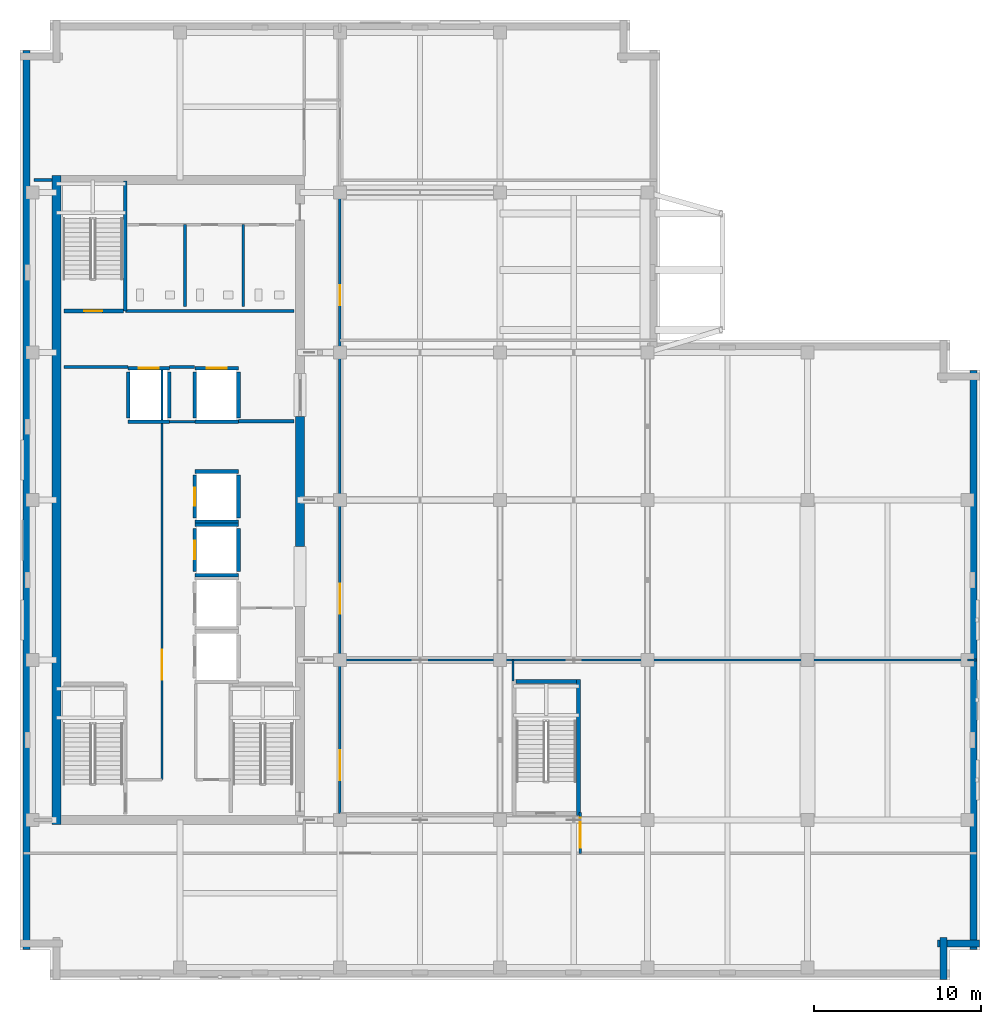
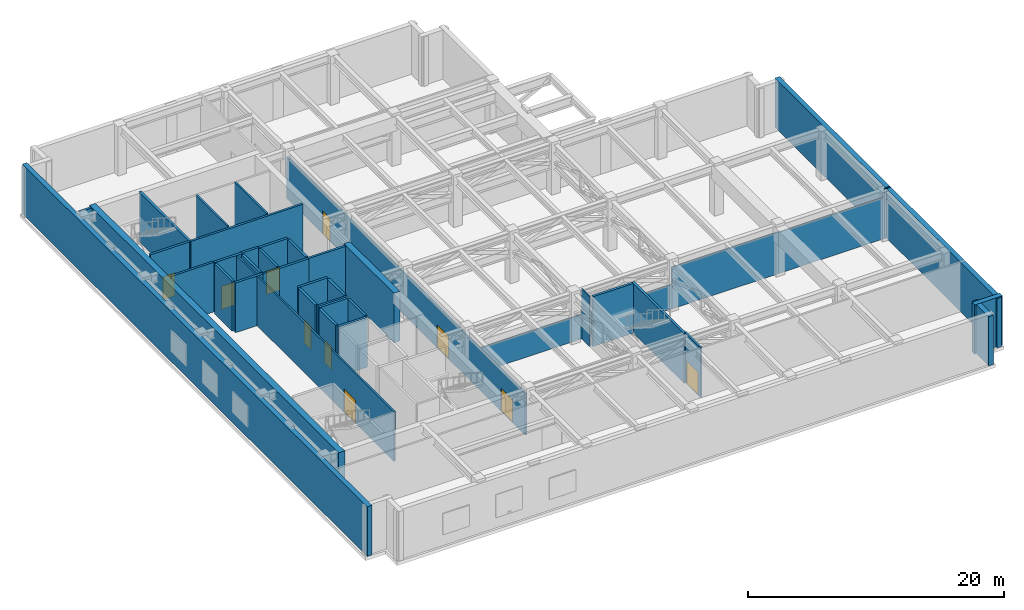
# One storey, part 13 of 19: 42 walls, 10 doors, 10 openings.
"""IFC4 building model written with IfcOpenShell, lengths in metres."""

from ifc_helpers import new_model, si_unit, direction, frame, frame_2d, origin, place, context, subcontext, project, spatial, rectangle, extrude, material, layer, layer_set, type_object, element, fill, save


model = new_model("IFC4")

# Units and contexts
model_context = context("Model", 3, precision=1e-05, world=origin(), true_north=direction((0.0, 1.0)))
body_context = subcontext(model_context, "Body", "Model", "MODEL_VIEW")
ifc_project = project(units=[si_unit("LENGTHUNIT", "METRE"), si_unit("AREAUNIT", "SQUARE_METRE"), si_unit("VOLUMEUNIT", "CUBIC_METRE"), si_unit("PLANEANGLEUNIT", "RADIAN"), si_unit("MASSUNIT", "GRAM", prefix="KILO")], contexts=[model_context])

# Site, building, storey
site_placement = place(None, origin())
site = spatial("IfcSite", under=ifc_project, at=site_placement, CompositionType="ELEMENT")
building_placement = place(site_placement, origin())
building = spatial("IfcBuilding", under=site, at=building_placement, Name="Norrvale University Quadrangle", CompositionType="ELEMENT")
storey_placement = place(building_placement, frame((0.0, 0.0, 256.0)))
storey = spatial("IfcBuildingStorey", under=building, at=storey_placement, Name="L65", CompositionType="ELEMENT", Elevation=256.0)

# Walls
ifc_material_1 = material(Name="Buff Norman Clay Brick Masonry", Category="masonry")
ifc_layer_1 = layer(ifc_material_1, 0.419921875, Name="Buff Norman Clay Brick Masonry")
ifc_layer_set_1 = layer_set([ifc_layer_1], Name="Buff Norman Clay Brick Masonry")
wall_type_1 = type_object("IfcWallType", Name="Wall Buff Brick 420", PredefinedType="SOLIDWALL", material=ifc_layer_set_1)
for number, where, z_axis, x_axis, name in (
    (1, (55.409912109375, 0.0400390625, 0.0), (0.0, 0.0, 1.0), (0.0, 1.0, 0.0), "Exterior Brick Facade Wall L65-02.1"),
    (2, (55.06005859375, 2.18994140625, 0.0), (0.0, 0.0, 1.0), (1.0, 0.0, 0.0), "Exterior Brick Facade Wall L65-03.1"),
):
    element("IfcWall", number, at=place(storey_placement, frame(where, z_axis=z_axis, x_axis=x_axis)), inside=storey, type_object=wall_type_1, Name=name, PredefinedType="SOLIDWALL", context=body_context, shape_type="SweptSolid", body=[
        extrude(rectangle(XDim=2.5, YDim=0.419921875, at=frame_2d((1.25, 0.0))), origin(), (0.0, 0.0, 1.0), 4.699951171875),
    ])
wall_1_placement = place(storey_placement, frame((57.2099609375, 1.840087890625, 0.0), z_axis=(0.0, 0.0, 1.0), x_axis=(0.0, 1.0, 0.0)))
element("IfcWall", 3, at=wall_1_placement, inside=storey, type_object=wall_type_1, Name="Exterior Brick Facade Wall L65-04.1", PredefinedType="SOLIDWALL", context=body_context, shape_type="SweptSolid", body=[
    extrude(rectangle(XDim=34.719970703125, YDim=0.419921875, at=frame_2d((17.35986328125, 0.0))), origin(), (0.0, 0.0, 1.0), 4.699951171875),
])
wall_2_placement = place(storey_placement, frame((0.389892578125, 55.760009765625, 0.0), z_axis=(0.0, 0.0, 1.0), x_axis=(0.0, -1.0, 0.0)))
element("IfcWall", 4, at=wall_2_placement, inside=storey, type_object=wall_type_1, Name="Exterior Brick Facade Wall L65-14.1", PredefinedType="SOLIDWALL", context=body_context, shape_type="SweptSolid", body=[
    extrude(rectangle(XDim=53.919921875, YDim=0.419921875, at=frame_2d((26.9599609375, 0.0))), origin(), (0.0, 0.0, 1.0), 4.739990234375),
])
ifc_material_2 = material(Name="Concrete C60/75", Category="concrete")
ifc_layer_2 = layer(ifc_material_2, 0.550048828125, Name="Concrete C60/75")
ifc_layer_set_2 = layer_set([ifc_layer_2], Name="Concrete C60/75")
wall_type_2 = type_object("IfcWallType", Name="Wall Core 550", PredefinedType="SHEAR", material=ifc_layer_set_2)
wall_3_placement = place(storey_placement, frame((2.199951171875, 9.324951171875, 0.0), z_axis=(0.0, 0.0, 1.0), x_axis=(0.0, 1.0, 0.0)))
element("IfcWall", 5, at=wall_3_placement, inside=storey, type_object=wall_type_2, Name="Tower Core Shear Wall L65-W", PredefinedType="SHEAR", context=body_context, shape_type="SweptSolid", body=[
    extrude(rectangle(XDim=38.949951171875, YDim=0.550048828125, at=frame_2d((19.47509765625, 0.0))), origin(), (0.0, 0.0, 1.0), 4.739990234375),
])
wall_4_placement = place(storey_placement, frame((16.800048828125, 26.0, 0.0), z_axis=(0.0, 0.0, 1.0), x_axis=(0.0, 1.0, 0.0)))
element("IfcWall", 6, at=wall_4_placement, inside=storey, type_object=wall_type_2, Name="Tower Core Shear Wall L65-E2", PredefinedType="SHEAR", context=body_context, shape_type="SweptSolid", body=[
    extrude(rectangle(XDim=7.800048828125, YDim=0.550048828125, at=frame_2d((3.89990234375, 0.0))), origin(), (0.0, 0.0, 1.0), 4.739990234375),
])
ifc_material_3 = material(Name="Standard Academic Gypsum Partition")
ifc_layer_3 = layer(ifc_material_3, 0.125, Name="Standard Academic Gypsum Partition")
ifc_layer_set_3 = layer_set([ifc_layer_3], Name="Standard Academic Gypsum Partition")
wall_type_3 = type_object("IfcWallType", Name="Wall Gypsum Academic 125", PredefinedType="PARTITIONING", material=ifc_layer_set_3)
wall_5_placement = place(storey_placement, frame((29.580078125, 17.949951171875, 0.0), z_axis=(0.0, 0.0, 1.0), x_axis=(0.0, 1.0, 0.0)))
element("IfcWall", 7, at=wall_5_placement, inside=storey, type_object=wall_type_3, Name="Interior Partition WL-L65-SUB-E", PredefinedType="PARTITIONING", context=body_context, shape_type="SweptSolid", body=[
    extrude(rectangle(XDim=1.25, YDim=0.125, at=frame_2d((0.625, 0.0))), origin(), (0.0, 0.0, 1.0), 4.739990234375),
])
wall_6_placement = place(storey_placement, frame((19.199951171875, 19.199951171875, 0.0), z_axis=(0.0, 0.0, 1.0), x_axis=(1.0, 0.0, 0.0)))
element("IfcWall", 8, at=wall_6_placement, inside=storey, type_object=wall_type_3, Name="Interior Partition WL-L65-SUB-N", PredefinedType="PARTITIONING", context=body_context, shape_type="SweptSolid", body=[
    extrude(rectangle(XDim=18.449951171875, YDim=0.125, at=frame_2d((9.22509765625, 0.0))), origin(), (0.0, 0.0, 1.0), 2.322509765625),
])
wall_7_placement = place(storey_placement, frame((37.64990234375, 19.199951171875, 0.0), z_axis=(0.0, 0.0, 1.0), x_axis=(1.0, 0.0, 0.0)))
element("IfcWall", 9, at=wall_7_placement, inside=storey, type_object=wall_type_3, Name="Interior Partition WL-L65-SUB-N-B2", PredefinedType="PARTITIONING", context=body_context, shape_type="SweptSolid", body=[
    extrude(rectangle(XDim=9.60009765625, YDim=0.125, at=frame_2d((4.800048828125, 0.0))), origin(), (0.0, 0.0, 1.0), 3.967041015625),
])
wall_8_placement = place(storey_placement, frame((47.25, 19.199951171875, 0.0), z_axis=(0.0, 0.0, 1.0), x_axis=(1.0, 0.0, 0.0)))
element("IfcWall", 10, at=wall_8_placement, inside=storey, type_object=wall_type_3, Name="Interior Partition WL-L65-SUB-N-B3", PredefinedType="PARTITIONING", context=body_context, shape_type="SweptSolid", body=[
    extrude(rectangle(XDim=9.60009765625, YDim=0.125, at=frame_2d((4.800048828125, 0.0))), origin(), (0.0, 0.0, 1.0), 3.927001953125),
])
wall_9_placement = place(storey_placement, frame((56.85009765625, 19.199951171875, 0.0), z_axis=(0.0, 0.0, 1.0), x_axis=(1.0, 0.0, 0.0)))
element("IfcWall", 11, at=wall_9_placement, inside=storey, type_object=wall_type_3, Name="Interior Partition WL-L65-SUB-N-B4", PredefinedType="PARTITIONING", context=body_context, shape_type="SweptSolid", body=[
    extrude(rectangle(XDim=0.52978515625, YDim=0.125, at=frame_2d((0.264892578125, 0.0))), origin(), (0.0, 0.0, 1.0), 4.739990234375),
])
ifc_material_4 = material(Name="Fire-Rated Gypsum Stud Partition")
ifc_layer_4 = layer(ifc_material_4, 0.14990234375, Name="Fire-Rated Gypsum Stud Partition")
ifc_layer_set_4 = layer_set([ifc_layer_4], Name="Fire-Rated Gypsum Stud Partition")
wall_type_4 = type_object("IfcWallType", Name="Wall Gypsum Corridor 150", PredefinedType="PARTITIONING", material=ifc_layer_set_4)
wall_10_placement = place(storey_placement, frame((8.965087890625, 33.489990234375, 0.0), z_axis=(0.0, 0.0, 1.0), x_axis=(1.0, 0.0, 0.0)))
element("IfcWall", 12, at=wall_10_placement, inside=storey, type_object=wall_type_4, Name="Interior Partition WL-L65-LL3", PredefinedType="PARTITIONING", context=body_context, shape_type="SweptSolid", body=[
    extrude(rectangle(XDim=1.52001953125, YDim=0.14990234375, at=frame_2d((0.760009765625, 0.0))), origin(), (0.0, 0.0, 1.0), 4.739990234375),
])

# Wall, opening, door
wall_11_placement = place(storey_placement, frame((8.52001953125, 12.02001953125, 0.0), z_axis=(0.0, 0.0, 1.0), x_axis=(0.0, 1.0, 0.0)))
wall_11 = element("IfcWall", 13, at=wall_11_placement, inside=storey, type_object=wall_type_4, Name="Interior Partition WL-L65-REC-E", PredefinedType="PARTITIONING", context=body_context, shape_type="SweptSolid", body=[
    extrude(rectangle(XDim=24.760009765625, YDim=0.14990234375, at=frame_2d((12.3798828125, 0.0))), origin(), (0.0, 0.0, 1.0), 4.739990234375),
])
opening_1_placement = place(wall_11_placement, frame((6.0, 0.0, 0.0)))
opening_1 = element("IfcOpeningElement", 14, at=opening_1_placement, cuts=wall_11, Name="Opening D03", PredefinedType="OPENING", context=body_context, shape_type="SweptSolid", body=[
    extrude(rectangle(XDim=1.800048828125, YDim=2.199951171875, at=frame_2d((0.89990234375, 1.10009765625))), frame((0.0, 0.0869140625, 0.0), z_axis=(0.0, -1.0, 0.0), x_axis=(1.0, 0.0, 0.0)), (0.0, 0.0, 1.0), 0.173828125),
])
ifc_material_5 = material(Name="Hollow Steel 350W Fire Door", Category="steel")
door_type_1 = type_object("IfcDoorType", Name="Door Fire Lobby 1800x2200", OperationType="DOUBLE_DOOR_SINGLE_SWING", PredefinedType="DOOR", material=ifc_material_5)
door_1_placement = place(opening_1_placement, origin())
door_1 = element("IfcDoor", 15, at=door_1_placement, inside=storey, type_object=door_type_1, Name="Door Fire Lobby 1800x2200 DR-L65-RECP", OperationType="DOUBLE_DOOR_SINGLE_SWING", OverallHeight=2.199951171875, OverallWidth=1.800048828125, PredefinedType="DOOR", context=body_context, shape_type="SweptSolid", body=[
    extrude(rectangle(XDim=1.800048828125, YDim=2.199951171875, at=frame_2d((0.89990234375, 1.10009765625))), frame((0.0, 0.02490234375, 0.0), z_axis=(0.0, -1.0, 0.0), x_axis=(1.0, 0.0, 0.0)), (0.0, 0.0, 1.0), 0.050048828125),
])
fill(opening_1, door_1)

wall_12_placement = place(storey_placement, frame((33.6201171875, 7.60009765625, 0.0), z_axis=(0.0, 0.0, 1.0), x_axis=(0.0, 1.0, 0.0)))
wall_12 = element("IfcWall", 16, at=wall_12_placement, inside=storey, type_object=wall_type_4, Name="Interior Partition WL-L65-BLR-W", PredefinedType="PARTITIONING", context=body_context, shape_type="SweptSolid", body=[
    extrude(rectangle(XDim=2.449951171875, YDim=0.14990234375, at=frame_2d((1.22509765625, 0.0))), origin(), (0.0, 0.0, 1.0), 4.739990234375),
])
opening_2_placement = place(wall_12_placement, frame((0.320068359375, 0.0, 0.0)))
opening_2 = element("IfcOpeningElement", 17, at=opening_2_placement, cuts=wall_12, Name="Opening D03", PredefinedType="OPENING", context=body_context, shape_type="SweptSolid", body=[
    extrude(rectangle(XDim=1.800048828125, YDim=2.199951171875, at=frame_2d((0.89990234375, 1.10009765625))), frame((0.0, 0.0869140625, 0.0), z_axis=(0.0, -1.0, 0.0), x_axis=(1.0, 0.0, 0.0)), (0.0, 0.0, 1.0), 0.173828125),
])
door_2_placement = place(opening_2_placement, origin())
door_2 = element("IfcDoor", 18, at=door_2_placement, inside=storey, type_object=door_type_1, Name="Door Fire Lobby 1800x2200 DR-L65-BLR1", OperationType="DOUBLE_DOOR_SINGLE_SWING", OverallHeight=2.199951171875, OverallWidth=1.800048828125, PredefinedType="DOOR", context=body_context, shape_type="SweptSolid", body=[
    extrude(rectangle(XDim=1.800048828125, YDim=2.199951171875, at=frame_2d((0.89990234375, 1.10009765625))), frame((0.0, 0.02490234375, 0.0), z_axis=(0.0, -1.0, 0.0), x_axis=(1.0, 0.0, 0.0)), (0.0, 0.0, 1.0), 0.050048828125),
])
fill(opening_2, door_2)

# Wall, openings, doors
wall_13_placement = place(storey_placement, frame((19.199951171875, 9.97998046875, 0.0), z_axis=(0.0, 0.0, 1.0), x_axis=(0.0, 1.0, 0.0)))
wall_13 = element("IfcWall", 19, at=wall_13_placement, inside=storey, type_object=wall_type_4, Name="Interior Partition WL-L65-PE-W", PredefinedType="PARTITIONING", context=body_context, shape_type="SweptSolid", body=[
    extrude(rectangle(XDim=37.27001953125, YDim=0.14990234375, at=frame_2d((18.635009765625, 0.0))), origin(), (0.0, 0.0, 1.0), 3.967041015625),
])
opening_3_placement = place(wall_13_placement, frame((2.0, 0.0, 0.0)))
opening_3 = element("IfcOpeningElement", 20, at=opening_3_placement, cuts=wall_13, Name="Opening D03", PredefinedType="OPENING", context=body_context, shape_type="SweptSolid", body=[
    extrude(rectangle(XDim=1.800048828125, YDim=2.199951171875, at=frame_2d((0.89990234375, 1.10009765625))), frame((0.0, 0.0869140625, 0.0), z_axis=(0.0, -1.0, 0.0), x_axis=(1.0, 0.0, 0.0)), (0.0, 0.0, 1.0), 0.173828125),
])
opening_4_placement = place(wall_13_placement, frame((12.0, 0.0, 0.0)))
opening_4 = element("IfcOpeningElement", 21, at=opening_4_placement, cuts=wall_13, Name="Opening D03", PredefinedType="OPENING", context=body_context, shape_type="SweptSolid", body=[
    extrude(rectangle(XDim=1.800048828125, YDim=2.199951171875, at=frame_2d((0.89990234375, 1.10009765625))), frame((0.0, 0.0869140625, 0.0), z_axis=(0.0, -1.0, 0.0), x_axis=(1.0, 0.0, 0.0)), (0.0, 0.0, 1.0), 0.173828125),
])
opening_5_placement = place(wall_13_placement, frame((30.5, 0.0, 0.0)))
opening_5 = element("IfcOpeningElement", 22, at=opening_5_placement, cuts=wall_13, Name="Opening D05", PredefinedType="OPENING", context=body_context, shape_type="SweptSolid", body=[
    extrude(rectangle(XDim=1.199951171875, YDim=2.199951171875, at=frame_2d((0.60009765625, 1.10009765625))), frame((0.0, 0.0869140625, 0.0), z_axis=(0.0, -1.0, 0.0), x_axis=(1.0, 0.0, 0.0)), (0.0, 0.0, 1.0), 0.173828125),
])
ifc_material_6 = material(Name="Acoustic Oak Classroom Door", Category="wood")
door_type_2 = type_object("IfcDoorType", Name="Door Classroom 1200x2200", OperationType="NOTDEFINED", PredefinedType="DOOR", material=ifc_material_6)
door_3_placement = place(opening_5_placement, origin())
door_3 = element("IfcDoor", 23, at=door_3_placement, inside=storey, type_object=door_type_2, Name="Door Classroom 1200x2200 DR-L65-REF1", OperationType="SINGLE_SWING_LEFT", OverallHeight=2.199951171875, OverallWidth=1.199951171875, PredefinedType="DOOR", context=body_context, shape_type="SweptSolid", body=[
    extrude(rectangle(XDim=1.199951171875, YDim=2.199951171875, at=frame_2d((0.60009765625, 1.10009765625))), frame((0.0, 0.02490234375, 0.0), z_axis=(0.0, -1.0, 0.0), x_axis=(1.0, 0.0, 0.0)), (0.0, 0.0, 1.0), 0.050048828125),
])
fill(opening_5, door_3)
door_4_placement = place(opening_3_placement, origin())
door_4 = element("IfcDoor", 24, at=door_4_placement, inside=storey, type_object=door_type_1, Name="Door Fire Lobby 1800x2200 DR-L65-SUB1", OperationType="DOUBLE_DOOR_SINGLE_SWING", OverallHeight=2.199951171875, OverallWidth=1.800048828125, PredefinedType="DOOR", context=body_context, shape_type="SweptSolid", body=[
    extrude(rectangle(XDim=1.800048828125, YDim=2.199951171875, at=frame_2d((0.89990234375, 1.10009765625))), frame((0.0, 0.02490234375, 0.0), z_axis=(0.0, -1.0, 0.0), x_axis=(1.0, 0.0, 0.0)), (0.0, 0.0, 1.0), 0.050048828125),
])
fill(opening_3, door_4)
door_5_placement = place(opening_4_placement, origin())
door_5 = element("IfcDoor", 25, at=door_5_placement, inside=storey, type_object=door_type_1, Name="Door Fire Lobby 1800x2200 DR-L65-AHU1", OperationType="DOUBLE_DOOR_SINGLE_SWING", OverallHeight=2.199951171875, OverallWidth=1.800048828125, PredefinedType="DOOR", context=body_context, shape_type="SweptSolid", body=[
    extrude(rectangle(XDim=1.800048828125, YDim=2.199951171875, at=frame_2d((0.89990234375, 1.10009765625))), frame((0.0, 0.02490234375, 0.0), z_axis=(0.0, -1.0, 0.0), x_axis=(1.0, 0.0, 0.0)), (0.0, 0.0, 1.0), 0.050048828125),
])
fill(opening_4, door_5)

# Walls
ifc_material_7 = material(Name="Sanitary Chase Gypsum Partition")
ifc_layer_5 = layer(ifc_material_7, 0.1650390625, Name="Sanitary Chase Gypsum Partition")
ifc_layer_set_5 = layer_set([ifc_layer_5], Name="Sanitary Chase Gypsum Partition")
wall_type_5 = type_object("IfcWallType", Name="Wall Gypsum Sanitary 165", PredefinedType="PLUMBINGWALL", material=ifc_layer_set_5)
for number, where, z_axis, x_axis, name in (
    (26, (9.89990234375, 40.39990234375, 0.0), (0.0, 0.0, 1.0), (0.0, 1.0, 0.0), "Interior Partition WL-L65-WCM1"),
    (27, (13.39990234375, 40.39990234375, 0.0), (0.0, 0.0, 1.0), (0.0, 1.0, 0.0), "Interior Partition WL-L65-WCM2"),
):
    element("IfcWall", number, at=place(storey_placement, frame(where, z_axis=z_axis, x_axis=x_axis)), inside=storey, type_object=wall_type_5, Name=name, PredefinedType="PLUMBINGWALL", context=body_context, shape_type="SweptSolid", body=[
        extrude(rectangle(XDim=4.920166015625, YDim=0.1650390625, at=frame_2d((2.4599609375, 0.0))), origin(), (0.0, 0.0, 1.0), 4.739990234375),
    ])
ifc_material_8 = material(Name="Concrete Blockwork 20 MPa Rated Wall", Category="masonry")
ifc_layer_6 = layer(ifc_material_8, 0.199951171875, Name="Concrete Blockwork 20 MPa Rated Wall")
ifc_layer_set_6 = layer_set([ifc_layer_6], Name="Concrete Blockwork 20 MPa Rated Wall")
wall_type_6 = type_object("IfcWallType", Name="Wall Lobby 200", PredefinedType="SOLIDWALL", material=ifc_layer_set_6)
wall_14_placement = place(storey_placement, frame((2.64990234375, 36.780029296875, 0.0), z_axis=(0.0, 0.0, 1.0), x_axis=(1.0, 0.0, 0.0)))
element("IfcWall", 28, at=wall_14_placement, inside=storey, type_object=wall_type_6, Name="Interior Partition WL-L65-FF1", PredefinedType="SOLIDWALL", context=body_context, shape_type="SweptSolid", body=[
    extrude(rectangle(XDim=3.830078125, YDim=0.199951171875, at=frame_2d((1.9150390625, 0.0))), origin(), (0.0, 0.0, 1.0), 4.739990234375),
])
wall_15_placement = place(storey_placement, frame((8.969970703125, 36.780029296875, 0.0), z_axis=(0.0, 0.0, 1.0), x_axis=(1.0, 0.0, 0.0)))
element("IfcWall", 29, at=wall_15_placement, inside=storey, type_object=wall_type_6, Name="Interior Partition WL-L65-FF2", PredefinedType="SOLIDWALL", context=body_context, shape_type="SweptSolid", body=[
    extrude(rectangle(XDim=1.510009765625, YDim=0.199951171875, at=frame_2d((0.7548828125, 0.0))), origin(), (0.0, 0.0, 1.0), 4.739990234375),
])
wall_16_placement = place(storey_placement, frame((13.1201171875, 33.52001953125, 0.0), z_axis=(0.0, 0.0, 1.0), x_axis=(1.0, 0.0, 0.0)))
element("IfcWall", 30, at=wall_16_placement, inside=storey, type_object=wall_type_6, Name="Interior Partition WL-L65-FF3", PredefinedType="SOLIDWALL", context=body_context, shape_type="SweptSolid", body=[
    extrude(rectangle(XDim=3.329833984375, YDim=0.199951171875, at=frame_2d((1.6650390625, 0.0))), origin(), (0.0, 0.0, 1.0), 4.739990234375),
])
wall_17_placement = place(storey_placement, frame((6.320068359375, 40.139892578125, 0.0), z_axis=(0.0, 0.0, 1.0), x_axis=(1.0, 0.0, 0.0)))
element("IfcWall", 31, at=wall_17_placement, inside=storey, type_object=wall_type_6, Name="Interior Partition WL-L65-FF4", PredefinedType="SOLIDWALL", context=body_context, shape_type="SweptSolid", body=[
    extrude(rectangle(XDim=10.1298828125, YDim=0.199951171875, at=frame_2d((5.06494140625, 0.0))), origin(), (0.0, 0.0, 1.0), 4.739990234375),
])
wall_18_placement = place(storey_placement, frame((0.85009765625, 48.0, 0.0), z_axis=(0.0, 0.0, 1.0), x_axis=(1.0, 0.0, 0.0)))
element("IfcWall", 32, at=wall_18_placement, inside=storey, type_object=wall_type_6, Name="Interior Partition WL-L65-CWRET-N", PredefinedType="SOLIDWALL", context=body_context, shape_type="SweptSolid", body=[
    extrude(rectangle(XDim=1.06982421875, YDim=0.199951171875, at=frame_2d((0.534912109375, 0.0))), origin(), (0.0, 0.0, 1.0), 4.699951171875),
])

# Wall, opening, door
ifc_material_9 = material(Name="Concrete Blockwork 20 MPa Fire Shaft", Category="masonry")
ifc_layer_7 = layer(ifc_material_9, 0.219970703125, Name="Concrete Blockwork 20 MPa Fire Shaft")
ifc_layer_set_7 = layer_set([ifc_layer_7], Name="Concrete Blockwork 20 MPa Fire Shaft")
wall_type_7 = type_object("IfcWallType", Name="Wall Shaft 220", PredefinedType="SOLIDWALL", material=ifc_layer_set_7)
wall_19_placement = place(storey_placement, frame((2.64990234375, 40.139892578125, 0.0), z_axis=(0.0, 0.0, 1.0), x_axis=(1.0, 0.0, 0.0)))
wall_19 = element("IfcWall", 33, at=wall_19_placement, inside=storey, type_object=wall_type_7, Name="Stair ST-02 South Shaft Wall L65", PredefinedType="SOLIDWALL", context=body_context, shape_type="SweptSolid", body=[
    extrude(rectangle(XDim=3.550048828125, YDim=0.219970703125, at=frame_2d((1.77490234375, 0.0))), origin(), (0.0, 0.0, 1.0), 4.739990234375),
])
opening_6_placement = place(wall_19_placement, frame((1.199951171875, 0.0, 0.0)))
opening_6 = element("IfcOpeningElement", 34, at=opening_6_placement, cuts=wall_19, Name="Opening D02", PredefinedType="OPENING", context=body_context, shape_type="SweptSolid", body=[
    extrude(rectangle(XDim=1.10009765625, YDim=2.199951171875, at=frame_2d((0.550048828125, 1.10009765625))), frame((0.0, 0.1220703125, 0.0), z_axis=(0.0, -1.0, 0.0), x_axis=(1.0, 0.0, 0.0)), (0.0, 0.0, 1.0), 0.243896484375),
])
door_type_3 = type_object("IfcDoorType", Name="Door Stair Exit 1100x2200", OperationType="NOTDEFINED", PredefinedType="DOOR", material=ifc_material_5)
door_6_placement = place(opening_6_placement, origin())
door_6 = element("IfcDoor", 35, at=door_6_placement, inside=storey, type_object=door_type_3, Name="Door Stair Exit 1100x2200 DR-L65-ST02", OperationType="SINGLE_SWING_LEFT", OverallHeight=2.199951171875, OverallWidth=1.10009765625, PredefinedType="DOOR", context=body_context, shape_type="SweptSolid", body=[
    extrude(rectangle(XDim=1.10009765625, YDim=2.199951171875, at=frame_2d((0.550048828125, 1.10009765625))), frame((0.0, 0.02490234375, 0.0), z_axis=(0.0, -1.0, 0.0), x_axis=(1.0, 0.0, 0.0)), (0.0, 0.0, 1.0), 0.050048828125),
])
fill(opening_6, door_6)

# Walls
wall_20_placement = place(storey_placement, frame((6.31005859375, 40.139892578125, 0.0), z_axis=(0.0, 0.0, 1.0), x_axis=(0.0, 1.0, 0.0)))
element("IfcWall", 36, at=wall_20_placement, inside=storey, type_object=wall_type_7, Name="Stair ST-02 East Shaft Wall L65", PredefinedType="SOLIDWALL", context=body_context, shape_type="SweptSolid", body=[
    extrude(rectangle(XDim=7.81005859375, YDim=0.219970703125, at=frame_2d((3.905029296875, 0.0))), origin(), (0.0, 0.0, 1.0), 4.739990234375),
])
wall_21_placement = place(storey_placement, frame((33.510009765625, 9.8798828125, 0.0), z_axis=(0.0, 0.0, 1.0), x_axis=(0.0, 1.0, 0.0)))
element("IfcWall", 37, at=wall_21_placement, inside=storey, type_object=wall_type_7, Name="Stair ST-04 East Shaft Wall L65", PredefinedType="SOLIDWALL", context=body_context, shape_type="SweptSolid", body=[
    extrude(rectangle(XDim=8.14013671875, YDim=0.219970703125, at=frame_2d((4.070068359375, 0.0))), origin(), (0.0, 0.0, 1.0), 4.739990234375),
])
wall_22_placement = place(storey_placement, frame((29.75, 17.909912109375, 0.0), z_axis=(0.0, 0.0, 1.0), x_axis=(1.0, 0.0, 0.0)))
element("IfcWall", 38, at=wall_22_placement, inside=storey, type_object=wall_type_7, Name="Stair ST-04 North Shaft Wall L65", PredefinedType="SOLIDWALL", context=body_context, shape_type="SweptSolid", body=[
    extrude(rectangle(XDim=3.64990234375, YDim=0.219970703125, at=frame_2d((1.824951171875, 0.0))), origin(), (0.0, 0.0, 1.0), 4.739990234375),
])

# Wall, opening, door
wall_23_placement = place(storey_placement, frame((10.489990234375, 24.510009765625, 0.0), z_axis=(0.0, 0.0, 1.0), x_axis=(0.0, 1.0, 0.0)))
wall_23 = element("IfcWall", 39, at=wall_23_placement, inside=storey, type_object=wall_type_7, Name="Hoistway PL-07 West Wall L65", PredefinedType="SOLIDWALL", context=body_context, shape_type="SweptSolid", body=[
    extrude(rectangle(XDim=2.580078125, YDim=0.219970703125, at=frame_2d((1.2900390625, 0.0))), origin(), (0.0, 0.0, 1.0), 4.739990234375),
])
opening_7_placement = place(wall_23_placement, frame((0.739990234375, 0.0, 0.0)))
opening_7 = element("IfcOpeningElement", 40, at=opening_7_placement, cuts=wall_23, Name="Opening LD1", PredefinedType="OPENING", context=body_context, shape_type="SweptSolid", body=[
    extrude(rectangle(XDim=1.10009765625, YDim=2.199951171875, at=frame_2d((0.550048828125, 1.10009765625))), frame((0.0, 0.1220703125, 0.0), z_axis=(0.0, -1.0, 0.0), x_axis=(1.0, 0.0, 0.0)), (0.0, 0.0, 1.0), 0.243896484375),
])
ifc_material_10 = material(Name="Stainless Steel 316L Lift Landing Door", Category="steel")
door_type_4 = type_object("IfcDoorType", Name="Door Lift Landing 1100x2200", OperationType="DOUBLE_DOOR_SLIDING", PredefinedType="DOOR", material=ifc_material_10)
door_7_placement = place(opening_7_placement, origin())
door_7 = element("IfcDoor", 41, at=door_7_placement, inside=storey, type_object=door_type_4, Name="Elevator Landing Door DR-L65-PL-07", OperationType="DOUBLE_DOOR_SLIDING", OverallHeight=2.199951171875, OverallWidth=1.10009765625, PredefinedType="DOOR", context=body_context, shape_type="SweptSolid", body=[
    extrude(rectangle(XDim=1.10009765625, YDim=2.199951171875, at=frame_2d((0.550048828125, 1.10009765625))), frame((0.0, 0.02490234375, 0.0), z_axis=(0.0, -1.0, 0.0), x_axis=(1.0, 0.0, 0.0)), (0.0, 0.0, 1.0), 0.050048828125),
])
fill(opening_7, door_7)

# Walls
wall_24_placement = place(storey_placement, frame((13.110107421875, 24.510009765625, 0.0), z_axis=(0.0, 0.0, 1.0), x_axis=(0.0, 1.0, 0.0)))
element("IfcWall", 42, at=wall_24_placement, inside=storey, type_object=wall_type_7, Name="Hoistway PL-07 East Wall L65", PredefinedType="SOLIDWALL", context=body_context, shape_type="SweptSolid", body=[
    extrude(rectangle(XDim=2.580078125, YDim=0.219970703125, at=frame_2d((1.2900390625, 0.0))), origin(), (0.0, 0.0, 1.0), 4.739990234375),
])
for number, where, z_axis, x_axis, name in (
    (43, (10.489990234375, 24.2900390625, 0.0), (0.0, 0.0, 1.0), (1.0, 0.0, 0.0), "Hoistway PL-07 South Wall L65"),
    (44, (10.489990234375, 27.31005859375, 0.0), (0.0, 0.0, 1.0), (1.0, 0.0, 0.0), "Hoistway PL-07 North Wall L65"),
):
    element("IfcWall", number, at=place(storey_placement, frame(where, z_axis=z_axis, x_axis=x_axis)), inside=storey, type_object=wall_type_7, Name=name, PredefinedType="SOLIDWALL", context=body_context, shape_type="SweptSolid", body=[
        extrude(rectangle(XDim=2.6201171875, YDim=0.219970703125, at=frame_2d((1.31005859375, 0.0))), origin(), (0.0, 0.0, 1.0), 4.739990234375),
    ])

# Wall, opening, door
wall_25_placement = place(storey_placement, frame((10.489990234375, 27.7099609375, 0.0), z_axis=(0.0, 0.0, 1.0), x_axis=(0.0, 1.0, 0.0)))
wall_25 = element("IfcWall", 45, at=wall_25_placement, inside=storey, type_object=wall_type_7, Name="Hoistway PL-08 West Wall L65", PredefinedType="SOLIDWALL", context=body_context, shape_type="SweptSolid", body=[
    extrude(rectangle(XDim=2.580078125, YDim=0.219970703125, at=frame_2d((1.2900390625, 0.0))), origin(), (0.0, 0.0, 1.0), 4.739990234375),
])
opening_8_placement = place(wall_25_placement, frame((0.739990234375, 0.0, 0.0)))
opening_8 = element("IfcOpeningElement", 46, at=opening_8_placement, cuts=wall_25, Name="Opening LD1", PredefinedType="OPENING", context=body_context, shape_type="SweptSolid", body=[
    extrude(rectangle(XDim=1.10009765625, YDim=2.199951171875, at=frame_2d((0.550048828125, 1.10009765625))), frame((0.0, 0.1220703125, 0.0), z_axis=(0.0, -1.0, 0.0), x_axis=(1.0, 0.0, 0.0)), (0.0, 0.0, 1.0), 0.243896484375),
])
door_8_placement = place(opening_8_placement, origin())
door_8 = element("IfcDoor", 47, at=door_8_placement, inside=storey, type_object=door_type_4, Name="Elevator Landing Door DR-L65-PL-08", OperationType="DOUBLE_DOOR_SLIDING", OverallHeight=2.199951171875, OverallWidth=1.10009765625, PredefinedType="DOOR", context=body_context, shape_type="SweptSolid", body=[
    extrude(rectangle(XDim=1.10009765625, YDim=2.199951171875, at=frame_2d((0.550048828125, 1.10009765625))), frame((0.0, 0.02490234375, 0.0), z_axis=(0.0, -1.0, 0.0), x_axis=(1.0, 0.0, 0.0)), (0.0, 0.0, 1.0), 0.050048828125),
])
fill(opening_8, door_8)

# Walls
wall_26_placement = place(storey_placement, frame((13.110107421875, 27.7099609375, 0.0), z_axis=(0.0, 0.0, 1.0), x_axis=(0.0, 1.0, 0.0)))
element("IfcWall", 48, at=wall_26_placement, inside=storey, type_object=wall_type_7, Name="Hoistway PL-08 East Wall L65", PredefinedType="SOLIDWALL", context=body_context, shape_type="SweptSolid", body=[
    extrude(rectangle(XDim=2.580078125, YDim=0.219970703125, at=frame_2d((1.2900390625, 0.0))), origin(), (0.0, 0.0, 1.0), 4.739990234375),
])
for number, where, z_axis, x_axis, name in (
    (49, (10.489990234375, 27.489990234375, 0.0), (0.0, 0.0, 1.0), (1.0, 0.0, 0.0), "Hoistway PL-08 South Wall L65"),
    (50, (10.489990234375, 30.510009765625, 0.0), (0.0, 0.0, 1.0), (1.0, 0.0, 0.0), "Hoistway PL-08 North Wall L65"),
):
    element("IfcWall", number, at=place(storey_placement, frame(where, z_axis=z_axis, x_axis=x_axis)), inside=storey, type_object=wall_type_7, Name=name, PredefinedType="SOLIDWALL", context=body_context, shape_type="SweptSolid", body=[
        extrude(rectangle(XDim=2.6201171875, YDim=0.219970703125, at=frame_2d((1.31005859375, 0.0))), origin(), (0.0, 0.0, 1.0), 4.739990234375),
    ])
for number, where, z_axis, x_axis, name in (
    (51, (6.489990234375, 33.7099609375, 0.0), (0.0, 0.0, 1.0), (0.0, 1.0, 0.0), "Hoistway FFL-01 West Wall L65"),
    (52, (8.9599609375, 33.7099609375, 0.0), (0.0, 0.0, 1.0), (0.0, 1.0, 0.0), "Hoistway FFL-01 East Wall L65"),
):
    element("IfcWall", number, at=place(storey_placement, frame(where, z_axis=z_axis, x_axis=x_axis)), inside=storey, type_object=wall_type_7, Name=name, PredefinedType="SOLIDWALL", context=body_context, shape_type="SweptSolid", body=[
        extrude(rectangle(XDim=2.780029296875, YDim=0.219970703125, at=frame_2d((1.39013671875, 0.0))), origin(), (0.0, 0.0, 1.0), 4.739990234375),
    ])
wall_27_placement = place(storey_placement, frame((6.489990234375, 33.489990234375, 0.0), z_axis=(0.0, 0.0, 1.0), x_axis=(1.0, 0.0, 0.0)))
element("IfcWall", 53, at=wall_27_placement, inside=storey, type_object=wall_type_7, Name="Hoistway FFL-01 South Wall L65", PredefinedType="SOLIDWALL", context=body_context, shape_type="SweptSolid", body=[
    extrude(rectangle(XDim=2.469970703125, YDim=0.219970703125, at=frame_2d((1.23486328125, 0.0))), origin(), (0.0, 0.0, 1.0), 4.739990234375),
])

# Wall, opening, door
wall_28_placement = place(storey_placement, frame((6.489990234375, 36.7099609375, 0.0), z_axis=(0.0, 0.0, 1.0), x_axis=(1.0, 0.0, 0.0)))
wall_28 = element("IfcWall", 54, at=wall_28_placement, inside=storey, type_object=wall_type_7, Name="Hoistway FFL-01 North Wall L65", PredefinedType="SOLIDWALL", context=body_context, shape_type="SweptSolid", body=[
    extrude(rectangle(XDim=2.469970703125, YDim=0.219970703125, at=frame_2d((1.23486328125, 0.0))), origin(), (0.0, 0.0, 1.0), 4.739990234375),
])
opening_9_placement = place(wall_28_placement, frame((0.635009765625, 0.0, 0.0)))
opening_9 = element("IfcOpeningElement", 55, at=opening_9_placement, cuts=wall_28, Name="Opening LD2", PredefinedType="OPENING", context=body_context, shape_type="SweptSolid", body=[
    extrude(rectangle(XDim=1.199951171875, YDim=2.199951171875, at=frame_2d((0.60009765625, 1.10009765625))), frame((0.0, 0.1220703125, 0.0), z_axis=(0.0, -1.0, 0.0), x_axis=(1.0, 0.0, 0.0)), (0.0, 0.0, 1.0), 0.243896484375),
])
ifc_material_11 = material(Name="Stainless Steel 316L Firefighter Lift Door", Category="steel")
door_type_5 = type_object("IfcDoorType", Name="Door Fire Lift 1200x2200", OperationType="DOUBLE_DOOR_SLIDING", PredefinedType="DOOR", material=ifc_material_11)
door_9_placement = place(opening_9_placement, origin())
door_9 = element("IfcDoor", 56, at=door_9_placement, inside=storey, type_object=door_type_5, Name="Elevator Landing Door DR-L65-FFL-01", OperationType="DOUBLE_DOOR_SLIDING", OverallHeight=2.199951171875, OverallWidth=1.199951171875, PredefinedType="DOOR", context=body_context, shape_type="SweptSolid", body=[
    extrude(rectangle(XDim=1.199951171875, YDim=2.199951171875, at=frame_2d((0.60009765625, 1.10009765625))), frame((0.0, 0.02490234375, 0.0), z_axis=(0.0, -1.0, 0.0), x_axis=(1.0, 0.0, 0.0)), (0.0, 0.0, 1.0), 0.050048828125),
])
fill(opening_9, door_9)

# Walls
for number, where, z_axis, x_axis, name in (
    (57, (10.489990234375, 33.7099609375, 0.0), (0.0, 0.0, 1.0), (0.0, 1.0, 0.0), "Hoistway FFL-02 West Wall L65"),
    (58, (13.110107421875, 33.7099609375, 0.0), (0.0, 0.0, 1.0), (0.0, 1.0, 0.0), "Hoistway FFL-02 East Wall L65"),
):
    element("IfcWall", number, at=place(storey_placement, frame(where, z_axis=z_axis, x_axis=x_axis)), inside=storey, type_object=wall_type_7, Name=name, PredefinedType="SOLIDWALL", context=body_context, shape_type="SweptSolid", body=[
        extrude(rectangle(XDim=2.780029296875, YDim=0.219970703125, at=frame_2d((1.39013671875, 0.0))), origin(), (0.0, 0.0, 1.0), 4.739990234375),
    ])
wall_29_placement = place(storey_placement, frame((10.489990234375, 33.489990234375, 0.0), z_axis=(0.0, 0.0, 1.0), x_axis=(1.0, 0.0, 0.0)))
element("IfcWall", 59, at=wall_29_placement, inside=storey, type_object=wall_type_7, Name="Hoistway FFL-02 South Wall L65", PredefinedType="SOLIDWALL", context=body_context, shape_type="SweptSolid", body=[
    extrude(rectangle(XDim=2.6201171875, YDim=0.219970703125, at=frame_2d((1.31005859375, 0.0))), origin(), (0.0, 0.0, 1.0), 4.739990234375),
])

# Wall, opening, door
wall_30_placement = place(storey_placement, frame((10.489990234375, 36.7099609375, 0.0), z_axis=(0.0, 0.0, 1.0), x_axis=(1.0, 0.0, 0.0)))
wall_30 = element("IfcWall", 60, at=wall_30_placement, inside=storey, type_object=wall_type_7, Name="Hoistway FFL-02 North Wall L65", PredefinedType="SOLIDWALL", context=body_context, shape_type="SweptSolid", body=[
    extrude(rectangle(XDim=2.6201171875, YDim=0.219970703125, at=frame_2d((1.31005859375, 0.0))), origin(), (0.0, 0.0, 1.0), 4.739990234375),
])
opening_10_placement = place(wall_30_placement, frame((0.7099609375, 0.0, 0.0)))
opening_10 = element("IfcOpeningElement", 61, at=opening_10_placement, cuts=wall_30, Name="Opening LD2", PredefinedType="OPENING", context=body_context, shape_type="SweptSolid", body=[
    extrude(rectangle(XDim=1.199951171875, YDim=2.199951171875, at=frame_2d((0.60009765625, 1.10009765625))), frame((0.0, 0.1220703125, 0.0), z_axis=(0.0, -1.0, 0.0), x_axis=(1.0, 0.0, 0.0)), (0.0, 0.0, 1.0), 0.243896484375),
])
door_10_placement = place(opening_10_placement, origin())
door_10 = element("IfcDoor", 62, at=door_10_placement, inside=storey, type_object=door_type_5, Name="Elevator Landing Door DR-L65-FFL-02", OperationType="DOUBLE_DOOR_SLIDING", OverallHeight=2.199951171875, OverallWidth=1.199951171875, PredefinedType="DOOR", context=body_context, shape_type="SweptSolid", body=[
    extrude(rectangle(XDim=1.199951171875, YDim=2.199951171875, at=frame_2d((0.60009765625, 1.10009765625))), frame((0.0, 0.02490234375, 0.0), z_axis=(0.0, -1.0, 0.0), x_axis=(1.0, 0.0, 0.0)), (0.0, 0.0, 1.0), 0.050048828125),
])
fill(opening_10, door_10)

save(model, "model.ifc")
